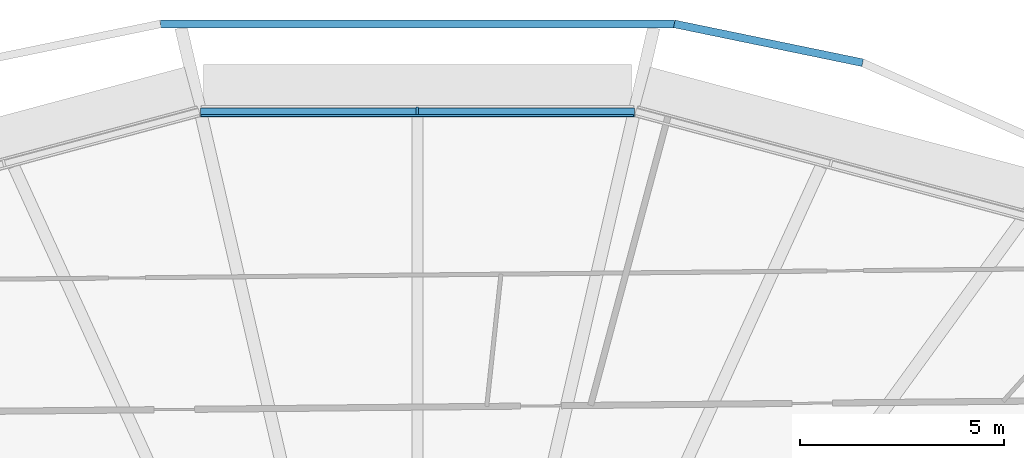
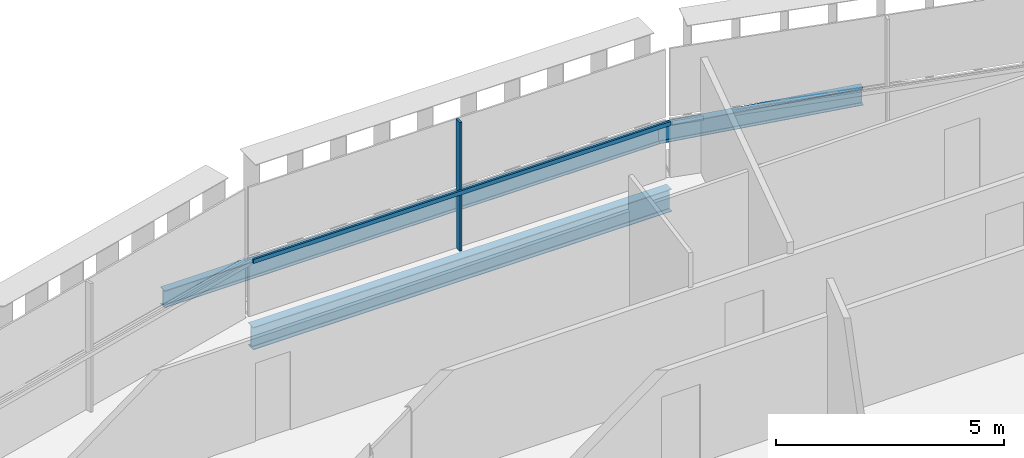
# One storey, part 8 of 21: 3 beams, 2 members, 1 element without a shape of its own.
"""IFC4 building model written with IfcOpenShell, lengths in metres."""

from ifc_helpers import new_model, si_unit, direction, frame, origin, origin_2d, place, context, subcontext, project, spatial, rectangle, i_section, extrude, material, layer, layer_set, material_profile, profile_set, type_object, element, aggregate, save


model = new_model("IFC4")

# Units and contexts
model_context = context("Model", 3, precision=1e-05, world=origin(), true_north=direction((0.0, 1.0)))
body_context = subcontext(model_context, "Body", "Model", "MODEL_VIEW")
ifc_project = project(units=[si_unit("LENGTHUNIT", "METRE"), si_unit("AREAUNIT", "SQUARE_METRE"), si_unit("VOLUMEUNIT", "CUBIC_METRE"), si_unit("PLANEANGLEUNIT", "RADIAN"), si_unit("MASSUNIT", "GRAM", prefix="KILO")], contexts=[model_context])

# Site, building, storey
site_placement = place(None, origin())
site = spatial("IfcSite", under=ifc_project, at=site_placement, CompositionType="ELEMENT")
building_placement = place(site_placement, origin())
building = spatial("IfcBuilding", under=site, at=building_placement, Name="Sahrelin Media Tower", CompositionType="ELEMENT")
storey_placement = place(building_placement, frame((0.0, 0.0, 193.60009765625)))
storey = spatial("IfcBuildingStorey", under=building, at=storey_placement, Name="L41", CompositionType="ELEMENT", Elevation=193.60009765625)

# Beam
ifc_material_1 = material(Name="Steel S355", Category="steel")
ifc_material_profile_1 = material_profile(ifc_material_1, i_section(OverallWidth=0.2275390625, OverallDepth=0.6025390625, WebThickness=0.010498046875, FlangeThickness=0.014892578125, FilletRadius=0.0126953125, at=origin_2d()), Name="UB 610x229x101")
ifc_profile_set_1 = profile_set([ifc_material_profile_1], Name="Steel S355")
beam_type_1 = type_object("IfcBeamType", Name="Edge beam EB7", PredefinedType="BEAM", material=ifc_profile_set_1)
beam_1_placement = place(storey_placement, frame((-5.305419921875, 22.97900390625, -0.451416015625), z_axis=(1.0, 0.0, 0.0), x_axis=(0.0, 1.0, 0.0)))
element("IfcBeam", 1, at=beam_1_placement, inside=storey, type_object=beam_type_1, Name="Edge beam L41-19", PredefinedType="BEAM", context=body_context, shape_type="SweptSolid", body=[
    extrude(i_section(OverallWidth=0.2275390625, OverallDepth=0.6025390625, WebThickness=0.010498046875, FlangeThickness=0.014892578125, FilletRadius=0.0126953125, at=origin_2d()), origin(), (0.0, 0.0, 1.0), 10.61083984375),
])

# Curtain wall, member
ifc_material_2 = material(Name="Champagne anodised aluminium 6063-T6", Category="aluminium")
ifc_layer = layer(ifc_material_2, 0.14990234375)
ifc_layer_set = layer_set([ifc_layer], Name="Tower ribbon curtain wall")
curtain_wall_type = type_object("IfcCurtainWallType", Name="Tower ribbon curtain wall", PredefinedType="NOTDEFINED", material=ifc_layer_set)
curtain_wall_placement = place(storey_placement, frame((0.0, 23.12890625, 0.0), z_axis=(0.0, 0.0, 1.0), x_axis=(1.0, 0.0, 0.0)))
curtain_wall = element("IfcCurtainWall", 2, at=curtain_wall_placement, inside=storey, type_object=curtain_wall_type, Name="L41:CW:L41-06", PredefinedType="NOTDEFINED")
ifc_material_profile_2 = material_profile(ifc_material_2, rectangle(XDim=0.06005859375, YDim=0.175048828125, at=origin_2d()), Name="Mullion 60x175")
ifc_profile_set_2 = profile_set([ifc_material_profile_2], Name="Champagne anodised aluminium 6063-T6")
member_type_1 = type_object("IfcMemberType", Name="Mullion 60x175 CW1B", PredefinedType="MULLION", material=ifc_profile_set_2)
member_1_placement = place(storey_placement, frame((0.0, 23.021484375, 0.0), z_axis=(0.0, 0.0, 1.0), x_axis=(-1.0, 0.0, 0.0)))
member_1 = element("IfcMember", 3, at=member_1_placement, type_object=member_type_1, Name="L41:CWM:L41-06", PredefinedType="MULLION", context=body_context, shape_type="SweptSolid", body=[
    extrude(rectangle(XDim=0.06005859375, YDim=0.175048828125, at=origin_2d()), origin(), (0.0, 0.0, 1.0), 3.448486328125),
])

# Beams
ifc_material_profile_3 = material_profile(ifc_material_1, i_section(OverallWidth=0.1904296875, OverallDepth=0.45703125, WebThickness=0.009033203125, FlangeThickness=0.014404296875, FilletRadius=0.01025390625, at=origin_2d()), Name="UB 457x191x74")
ifc_profile_set_3 = profile_set([ifc_material_profile_3], Name="Steel S355")
beam_type_2 = type_object("IfcBeamType", Name="Tie chord TC5", PredefinedType="BEAM", material=ifc_profile_set_3)
beam_2_placement = place(storey_placement, frame((10.892578125, 24.1953125, -0.378662109375), z_axis=(-0.979389778149, 0.201979361463, 0.0), x_axis=(-0.201979361463, -0.979389778149, 0.0)))
element("IfcBeam", 4, at=beam_2_placement, inside=storey, type_object=beam_type_2, Name="Tie chord L41-05", PredefinedType="BEAM", context=body_context, shape_type="SweptSolid", body=[
    extrude(i_section(OverallWidth=0.1904296875, OverallDepth=0.45703125, WebThickness=0.009033203125, FlangeThickness=0.014404296875, FilletRadius=0.01025390625, at=origin_2d()), origin(), (0.0, 0.0, 1.0), 4.70556640625),
])
beam_3_placement = place(storey_placement, frame((6.283935546875, 25.145751953125, -0.378662109375), z_axis=(-1.0, 0.0, 0.0), x_axis=(0.0, -1.0, 0.0)))
element("IfcBeam", 5, at=beam_3_placement, inside=storey, type_object=beam_type_2, Name="Tie chord L41-06", PredefinedType="BEAM", context=body_context, shape_type="SweptSolid", body=[
    extrude(i_section(OverallWidth=0.1904296875, OverallDepth=0.45703125, WebThickness=0.009033203125, FlangeThickness=0.014404296875, FilletRadius=0.01025390625, at=origin_2d()), origin(), (0.0, 0.0, 1.0), 12.56787109375),
])

# Member
ifc_material_profile_4 = material_profile(ifc_material_2, rectangle(XDim=0.050048828125, YDim=0.110107421875, at=origin_2d()), Name="Transom 50x110")
ifc_profile_set_4 = profile_set([ifc_material_profile_4], Name="Champagne anodised aluminium 6063-T6")
member_type_2 = type_object("IfcMemberType", Name="Transom 50x110 CW1B", PredefinedType="USERDEFINED", material=ifc_profile_set_4)
member_2_placement = place(storey_placement, frame((5.28955078125, 22.908935546875, 1.599853515625), z_axis=(-1.0, 0.0, 0.0), x_axis=(0.0, -1.0, 0.0)))
member_2 = element("IfcMember", 6, at=member_2_placement, type_object=member_type_2, Name="L41:CWT:L41-06", ObjectType="TRANSOM", PredefinedType="USERDEFINED", context=body_context, shape_type="SweptSolid", body=[
    extrude(rectangle(XDim=0.050048828125, YDim=0.110107421875, at=origin_2d()), origin(), (0.0, 0.0, 1.0), 10.5791015625),
])

aggregate(curtain_wall, [member_1, member_2])

save(model, "model.ifc")
